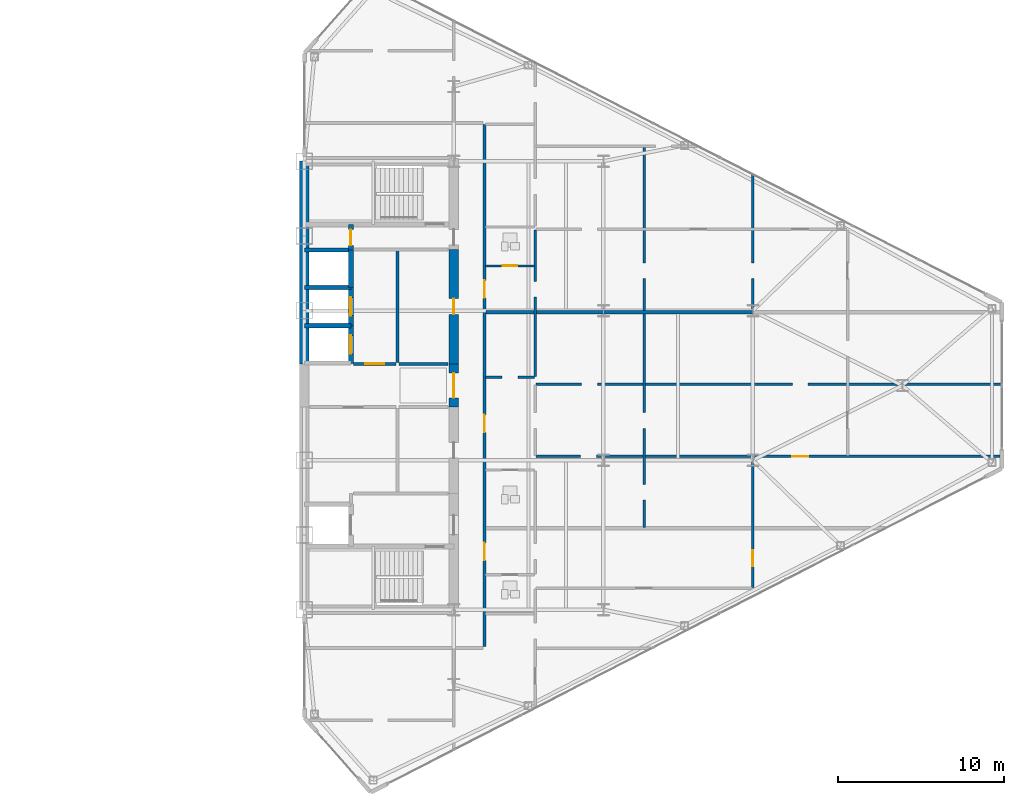
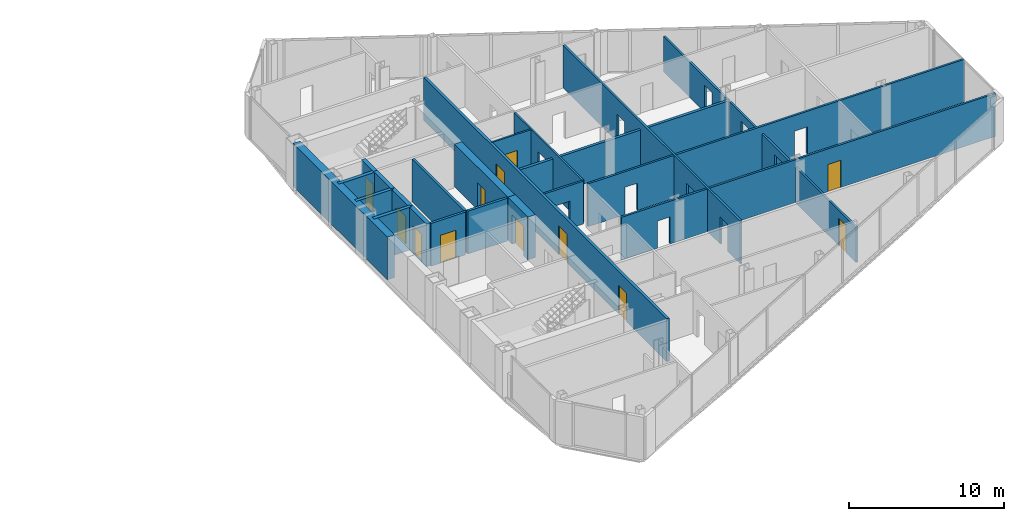
# One storey, part 19 of 23: 22 walls, 12 doors, 23 openings.
"""IFC4 building model written with IfcOpenShell, lengths in metres."""

from ifc_helpers import new_model, si_unit, direction, frame, frame_2d, origin, place, context, subcontext, project, spatial, rectangle, extrude, source, transform, mapped, material, layer, layer_set, type_object, type_shapes, element, fill, save


model = new_model("IFC4")

# Units and contexts
model_context = context("Model", 3, precision=1e-05, world=origin(), true_north=direction((0.0, 1.0)))
body_context = subcontext(model_context, "Body", "Model", "MODEL_VIEW")
ifc_project = project(units=[si_unit("LENGTHUNIT", "METRE"), si_unit("AREAUNIT", "SQUARE_METRE"), si_unit("VOLUMEUNIT", "CUBIC_METRE"), si_unit("PLANEANGLEUNIT", "RADIAN"), si_unit("MASSUNIT", "GRAM", prefix="KILO")], contexts=[model_context])

# Site, building, storey
site_placement = place(None, origin())
site = spatial("IfcSite", under=ifc_project, at=site_placement, CompositionType="ELEMENT")
building_placement = place(site_placement, origin())
building = spatial("IfcBuilding", under=site, at=building_placement, Name="Seokmaru Belvedere", CompositionType="ELEMENT")
storey_placement = place(building_placement, frame((0.0, 0.0, 154.800048828125)))
storey = spatial("IfcBuildingStorey", under=building, at=storey_placement, Name="L41", CompositionType="ELEMENT", Elevation=154.800048828125)

# Wall, openings, door
ifc_material_1 = material(Name="Fire-Rated Gypsum Shaftwall")
ifc_layer_1 = layer(ifc_material_1, 0.14990234375)
ifc_layer_set_1 = layer_set([ifc_layer_1], Name="Fire-Rated Gypsum Shaftwall")
wall_type_1 = type_object("IfcWallType", Name="Apartment Fire-Acoustic Room Partition 150", PredefinedType="PARTITIONING", material=ifc_layer_set_1)
wall_1_placement = place(storey_placement, frame((41.449951171875, -4.27001953125, 0.0), z_axis=(0.0, 0.0, 1.0), x_axis=(1.0, 0.0, 0.0)))
wall_1 = element("IfcWall", 1, at=wall_1_placement, inside=storey, type_object=wall_type_1, Name="L41 Interior Partition 016", PredefinedType="PARTITIONING", context=body_context, shape_type="SweptSolid", body=[
    extrude(rectangle(XDim=27.925048828125, YDim=0.14990234375, at=frame_2d((13.96240234375, 0.0))), origin(), (0.0, 0.0, 1.0), 3.3798828125),
])
opening_1_placement = place(wall_1_placement, frame((2.67578125, 0.0, 0.0)))
element("IfcOpeningElement", 2, at=opening_1_placement, cuts=wall_1, Name="L41 Cased Opening 044", PredefinedType="OPENING", context=body_context, shape_type="SweptSolid", body=[
    extrude(rectangle(XDim=0.949951171875, YDim=2.14990234375, at=frame_2d((0.47509765625, 1.074951171875))), frame((0.0, 0.0849609375, 0.0), z_axis=(0.0, -1.0, 0.0), x_axis=(1.0, 0.0, 0.0)), (0.0, 0.0, 1.0), 0.169921875),
])
opening_2_placement = place(wall_1_placement, frame((15.425048828125, 0.0, 0.0)))
opening_2 = element("IfcOpeningElement", 3, at=opening_2_placement, cuts=wall_1, Name="Opening D05", PredefinedType="OPENING", context=body_context, shape_type="SweptSolid", body=[
    extrude(rectangle(XDim=0.949951171875, YDim=2.14990234375, at=frame_2d((0.47509765625, 1.074951171875))), frame((0.0, 0.0849609375, 0.0), z_axis=(0.0, -1.0, 0.0), x_axis=(1.0, 0.0, 0.0)), (0.0, 0.0, 1.0), 0.169921875),
])
ifc_material_2 = material(Name="Engineered White Oak Timber", Category="wood")
door_type_1 = type_object("IfcDoorType", Name="Apartment Interior Fire-Rated Oak Door 950x2150", OperationType="NOTDEFINED", PredefinedType="DOOR", material=ifc_material_2)
shared_shape_1 = source(origin(), body_context, "Body", "SweptSolid", [
    extrude(rectangle(XDim=0.949951171875, YDim=2.14990234375, at=frame_2d((0.47509765625, 1.074951171875))), frame((0.0, 0.02490234375, 0.0), z_axis=(0.0, -1.0, 0.0), x_axis=(1.0, 0.0, 0.0)), (0.0, 0.0, 1.0), 0.050048828125),
])
type_shapes(door_type_1, [shared_shape_1])
door_1_placement = place(opening_2_placement, origin())
door_1 = element("IfcDoor", 4, at=door_1_placement, inside=storey, type_object=door_type_1, Name="L41 Interior Door 048", OperationType="SINGLE_SWING_RIGHT", OverallHeight=2.14990234375, OverallWidth=0.949951171875, PredefinedType="DOOR", context=body_context, shape_type="MappedRepresentation", body=[
    mapped(shared_shape_1, transform((0.0, 0.0, 0.0), scale=1.0)),
])
fill(opening_2, door_1)

# Wall, openings
wall_2_placement = place(storey_placement, frame((41.449951171875, 0.070068359375, 0.0), z_axis=(0.0, 0.0, 1.0), x_axis=(1.0, 0.0, 0.0)))
wall_2 = element("IfcWall", 5, at=wall_2_placement, inside=storey, type_object=wall_type_1, Name="L41 Interior Partition 019", PredefinedType="PARTITIONING", context=body_context, shape_type="SweptSolid", body=[
    extrude(rectangle(XDim=28.0849609375, YDim=0.14990234375, at=frame_2d((14.04248046875, 0.0))), origin(), (0.0, 0.0, 1.0), 3.3798828125),
])
opening_3_placement = place(wall_2_placement, frame((2.75, 0.0, 0.0)))
element("IfcOpeningElement", 6, at=opening_3_placement, cuts=wall_2, Name="L41 Cased Opening 046", PredefinedType="OPENING", context=body_context, shape_type="SweptSolid", body=[
    extrude(rectangle(XDim=0.949951171875, YDim=2.14990234375, at=frame_2d((0.47509765625, 1.074951171875))), frame((0.0, 0.0849609375, 0.0), z_axis=(0.0, -1.0, 0.0), x_axis=(1.0, 0.0, 0.0)), (0.0, 0.0, 1.0), 0.169921875),
])
opening_4_placement = place(wall_2_placement, frame((15.425048828125, 0.0, 0.0)))
element("IfcOpeningElement", 7, at=opening_4_placement, cuts=wall_2, Name="L41 Cased Opening 050", PredefinedType="OPENING", context=body_context, shape_type="SweptSolid", body=[
    extrude(rectangle(XDim=0.949951171875, YDim=2.14990234375, at=frame_2d((0.47509765625, 1.074951171875))), frame((0.0, 0.0849609375, 0.0), z_axis=(0.0, -1.0, 0.0), x_axis=(1.0, 0.0, 0.0)), (0.0, 0.0, 1.0), 0.169921875),
])

# Wall, opening
wall_3_placement = place(storey_placement, frame((38.39990234375, 0.5, 0.0), z_axis=(0.0, 0.0, 1.0), x_axis=(1.0, 0.0, 0.0)))
wall_3 = element("IfcWall", 8, at=wall_3_placement, inside=storey, type_object=wall_type_1, Name="L41 Interior Partition 021", PredefinedType="PARTITIONING", context=body_context, shape_type="SweptSolid", body=[
    extrude(rectangle(XDim=2.9501953125, YDim=0.14990234375, at=frame_2d((1.47509765625, 0.0))), origin(), (0.0, 0.0, 1.0), 3.3798828125),
])
opening_5_placement = place(wall_3_placement, frame((1.0, 0.0, 0.0)))
element("IfcOpeningElement", 9, at=opening_5_placement, cuts=wall_3, Name="L41 Cased Opening 042", PredefinedType="OPENING", context=body_context, shape_type="SweptSolid", body=[
    extrude(rectangle(XDim=0.949951171875, YDim=2.14990234375, at=frame_2d((0.47509765625, 1.074951171875))), frame((0.0, 0.0849609375, 0.0), z_axis=(0.0, -1.0, 0.0), x_axis=(1.0, 0.0, 0.0)), (0.0, 0.0, 1.0), 0.169921875),
])

# Wall, openings
wall_4_placement = place(storey_placement, frame((47.949951171875, -8.550048828125, 0.0), z_axis=(0.0, 0.0, 1.0), x_axis=(0.0, 1.0, 0.0)))
wall_4 = element("IfcWall", 10, at=wall_4_placement, inside=storey, type_object=wall_type_1, Name="L41 Interior Partition 056", PredefinedType="PARTITIONING", context=body_context, shape_type="SweptSolid", body=[
    extrude(rectangle(XDim=22.9130859375, YDim=0.14990234375, at=frame_2d((11.45654296875, 0.0))), origin(), (0.0, 0.0, 1.0), 3.3798828125),
])
opening_6_placement = place(wall_4_placement, frame((5.97509765625, 0.0, 0.0)))
element("IfcOpeningElement", 11, at=opening_6_placement, cuts=wall_4, Name="L41 Cased Opening 045", PredefinedType="OPENING", context=body_context, shape_type="SweptSolid", body=[
    extrude(rectangle(XDim=0.949951171875, YDim=2.14990234375, at=frame_2d((0.47509765625, 1.074951171875))), frame((0.0, 0.0849609375, 0.0), z_axis=(0.0, -1.0, 0.0), x_axis=(1.0, 0.0, 0.0)), (0.0, 0.0, 1.0), 0.169921875),
])
opening_7_placement = place(wall_4_placement, frame((1.6416015625, 0.0, 0.0)))
element("IfcOpeningElement", 12, at=opening_7_placement, cuts=wall_4, Name="L41 Cased Opening 052", PredefinedType="OPENING", context=body_context, shape_type="SweptSolid", body=[
    extrude(rectangle(XDim=0.949951171875, YDim=2.14990234375, at=frame_2d((0.47509765625, 1.074951171875))), frame((0.0, 0.0849609375, 0.0), z_axis=(0.0, -1.0, 0.0), x_axis=(1.0, 0.0, 0.0)), (0.0, 0.0, 1.0), 0.169921875),
])
opening_8_placement = place(wall_4_placement, frame((14.978271484375, 0.0, 0.0)))
element("IfcOpeningElement", 13, at=opening_8_placement, cuts=wall_4, Name="L41 Cased Opening 057", PredefinedType="OPENING", context=body_context, shape_type="SweptSolid", body=[
    extrude(rectangle(XDim=0.949951171875, YDim=2.14990234375, at=frame_2d((0.47509765625, 1.074951171875))), frame((0.0, 0.0849609375, 0.0), z_axis=(0.0, -1.0, 0.0), x_axis=(1.0, 0.0, 0.0)), (0.0, 0.0, 1.0), 0.169921875),
])

# Wall, openings, door
wall_5_placement = place(storey_placement, frame((54.5, -12.156982421875, 0.0), z_axis=(0.0, 0.0, 1.0), x_axis=(0.0, 1.0, 0.0)))
wall_5 = element("IfcWall", 14, at=wall_5_placement, inside=storey, type_object=wall_type_1, Name="L41 Interior Partition 057", PredefinedType="PARTITIONING", context=body_context, shape_type="SweptSolid", body=[
    extrude(rectangle(XDim=24.888916015625, YDim=0.14990234375, at=frame_2d((12.4443359375, 0.0))), origin(), (0.0, 0.0, 1.0), 2.780029296875),
])
opening_9_placement = place(wall_5_placement, frame((1.27880859375, 0.0, 0.0)))
opening_9 = element("IfcOpeningElement", 15, at=opening_9_placement, cuts=wall_5, Name="Opening D05", PredefinedType="OPENING", context=body_context, shape_type="SweptSolid", body=[
    extrude(rectangle(XDim=0.949951171875, YDim=2.14990234375, at=frame_2d((0.47509765625, 1.074951171875))), frame((0.0, 0.0849609375, 0.0), z_axis=(0.0, -1.0, 0.0), x_axis=(1.0, 0.0, 0.0)), (0.0, 0.0, 1.0), 0.169921875),
])
opening_10_placement = place(wall_5_placement, frame((9.58203125, 0.0, 0.0)))
element("IfcOpeningElement", 16, at=opening_10_placement, cuts=wall_5, Name="L41 Cased Opening 047", PredefinedType="OPENING", context=body_context, shape_type="SweptSolid", body=[
    extrude(rectangle(XDim=0.949951171875, YDim=2.14990234375, at=frame_2d((0.47509765625, 1.074951171875))), frame((0.0, 0.0849609375, 0.0), z_axis=(0.0, -1.0, 0.0), x_axis=(1.0, 0.0, 0.0)), (0.0, 0.0, 1.0), 0.169921875),
])
opening_11_placement = place(wall_5_placement, frame((13.915283203125, 0.0, 0.0)))
element("IfcOpeningElement", 17, at=opening_11_placement, cuts=wall_5, Name="L41 Cased Opening 053", PredefinedType="OPENING", context=body_context, shape_type="SweptSolid", body=[
    extrude(rectangle(XDim=0.949951171875, YDim=2.14990234375, at=frame_2d((0.47509765625, 1.074951171875))), frame((0.0, 0.0849609375, 0.0), z_axis=(0.0, -1.0, 0.0), x_axis=(1.0, 0.0, 0.0)), (0.0, 0.0, 1.0), 0.169921875),
])
opening_12_placement = place(wall_5_placement, frame((18.585205078125, 0.0, 0.0)))
element("IfcOpeningElement", 18, at=opening_12_placement, cuts=wall_5, Name="L41 Cased Opening 060", PredefinedType="OPENING", context=body_context, shape_type="SweptSolid", body=[
    extrude(rectangle(XDim=0.949951171875, YDim=2.14990234375, at=frame_2d((0.47509765625, 1.074951171875))), frame((0.0, 0.0849609375, 0.0), z_axis=(0.0, -1.0, 0.0), x_axis=(1.0, 0.0, 0.0)), (0.0, 0.0, 1.0), 0.169921875),
])
door_2_placement = place(opening_9_placement, origin())
door_2 = element("IfcDoor", 19, at=door_2_placement, inside=storey, type_object=door_type_1, Name="L41 Interior Door 034", OperationType="SINGLE_SWING_LEFT", OverallHeight=2.14990234375, OverallWidth=0.949951171875, PredefinedType="DOOR", context=body_context, shape_type="MappedRepresentation", body=[
    mapped(shared_shape_1, transform((0.0, 0.0, 0.0), scale=1.0)),
])
fill(opening_9, door_2)

# Wall
ifc_layer_2 = layer(ifc_material_1, 0.179931640625)
ifc_layer_set_2 = layer_set([ifc_layer_2], Name="Fire-Rated Gypsum Shaftwall")
wall_type_2 = type_object("IfcWallType", Name="Core Service Fire Partition 180", PredefinedType="PARTITIONING", material=ifc_layer_set_2)
wall_6_placement = place(storey_placement, frame((33.10009765625, 1.3798828125, 0.0), z_axis=(0.0, 0.0, 1.0), x_axis=(0.0, 1.0, 0.0)))
element("IfcWall", 20, at=wall_6_placement, inside=storey, type_object=wall_type_2, Name="L41 East North Core Service Back Wall", PredefinedType="PARTITIONING", context=body_context, shape_type="SweptSolid", body=[
    extrude(rectangle(XDim=6.740234375, YDim=0.179931640625, at=frame_2d((3.3701171875, 0.0))), origin(), (0.0, 0.0, 1.0), 3.3798828125),
])

# Wall, opening, door
wall_7_placement = place(storey_placement, frame((30.449951171875, 1.300048828125, 0.0), z_axis=(0.0, 0.0, 1.0), x_axis=(1.0, 0.0, 0.0)))
wall_7 = element("IfcWall", 21, at=wall_7_placement, inside=storey, type_object=wall_type_2, Name="L41 East North Lift Lobby Foyer Wall", PredefinedType="PARTITIONING", context=body_context, shape_type="SweptSolid", body=[
    extrude(rectangle(XDim=2.570068359375, YDim=0.179931640625, at=frame_2d((1.28515625, 0.0))), origin(), (0.0, 0.0, 1.0), 3.3798828125),
])
opening_13_placement = place(wall_7_placement, frame((0.7099609375, 0.0, 0.0)))
opening_13 = element("IfcOpeningElement", 22, at=opening_13_placement, cuts=wall_7, Name="Opening D02", PredefinedType="OPENING", context=body_context, shape_type="SweptSolid", body=[
    extrude(rectangle(XDim=1.14990234375, YDim=2.199951171875, at=frame_2d((0.574951171875, 1.10009765625))), frame((0.0, 0.10009765625, 0.0), z_axis=(0.0, -1.0, 0.0), x_axis=(1.0, 0.0, 0.0)), (0.0, 0.0, 1.0), 0.199951171875),
])
ifc_material_3 = material(Name="Fire-Rated Steel Leaf", Category="steel")
door_type_2 = type_object("IfcDoorType", Name="Lobby and Vestibule Fire Door 1150x2200", OperationType="NOTDEFINED", PredefinedType="DOOR", material=ifc_material_3)
shared_shape_2 = source(origin(), body_context, "Body", "SweptSolid", [
    extrude(rectangle(XDim=1.14990234375, YDim=2.199951171875, at=frame_2d((0.574951171875, 1.10009765625))), frame((0.0, 0.02490234375, 0.0), z_axis=(0.0, -1.0, 0.0), x_axis=(1.0, 0.0, 0.0)), (0.0, 0.0, 1.0), 0.050048828125),
])
type_shapes(door_type_2, [shared_shape_2])
door_3_placement = place(opening_13_placement, origin())
door_3 = element("IfcDoor", 23, at=door_3_placement, inside=storey, type_object=door_type_2, Name="L41 East North Lift Lobby Door", OperationType="SINGLE_SWING_LEFT", OverallHeight=2.199951171875, OverallWidth=1.14990234375, PredefinedType="DOOR", context=body_context, shape_type="MappedRepresentation", body=[
    mapped(shared_shape_2, transform((0.0, 0.0, 0.0), scale=1.0)),
])
fill(opening_13, door_3)

# Walls
wall_8_placement = place(storey_placement, frame((33.199951171875, 1.300048828125, 0.0), z_axis=(0.0, 0.0, 1.0), x_axis=(1.0, 0.0, 0.0)))
element("IfcWall", 24, at=wall_8_placement, inside=storey, type_object=wall_type_2, Name="L41 East Foyer Side Wall N", PredefinedType="PARTITIONING", context=body_context, shape_type="SweptSolid", body=[
    extrude(rectangle(XDim=2.949951171875, YDim=0.179931640625, at=frame_2d((1.47509765625, 0.0))), origin(), (0.0, 0.0, 1.0), 3.3798828125),
])
ifc_material_4 = material(Name="Concrete C50 (50 MPa)", Category="concrete")
ifc_layer_3 = layer(ifc_material_4, 0.25)
ifc_layer_set_3 = layer_set([ifc_layer_3], Name="Concrete C50 (50 MPa)")
wall_type_3 = type_object("IfcWallType", Name="Hoistway Transverse Concrete Divider Wall 250", PredefinedType="SHEAR", material=ifc_layer_set_3)
for number, where, z_axis, x_axis, name in (
    (25, (27.5, 3.60009765625, 0.0), (0.0, 0.0, 1.0), (1.0, 0.0, 0.0), "L41 East Hoistway Divider Core Wall 3"),
    (26, (27.5, 5.89990234375, 0.0), (0.0, 0.0, 1.0), (1.0, 0.0, 0.0), "L41 East Hoistway Divider Core Wall 4"),
    (27, (27.5, 8.14990234375, 0.0), (0.0, 0.0, 1.0), (1.0, 0.0, 0.0), "L41 East Hoistway Divider Core Wall 5"),
):
    element("IfcWall", number, at=place(storey_placement, frame(where, z_axis=z_axis, x_axis=x_axis)), inside=storey, type_object=wall_type_3, Name=name, PredefinedType="SHEAR", context=body_context, shape_type="SweptSolid", body=[
        extrude(rectangle(XDim=2.800048828125, YDim=0.25, at=frame_2d((1.39990234375, 0.0))), origin(), (0.0, 0.0, 1.0), 3.3798828125),
    ])
ifc_layer_4 = layer(ifc_material_1, 0.199951171875)
ifc_layer_set_4 = layer_set([ifc_layer_4], Name="Fire-Rated Gypsum Shaftwall")
wall_type_4 = type_object("IfcWallType", Name="Inter-Tenancy Fire Compartment Partition 200", PredefinedType="PARTITIONING", material=ifc_layer_set_4)
wall_9_placement = place(storey_placement, frame((38.429931640625, 4.39990234375, 0.0), z_axis=(0.0, 0.0, 1.0), x_axis=(1.0, 0.0, 0.0)))
element("IfcWall", 28, at=wall_9_placement, inside=storey, type_object=wall_type_4, Name="L41 Interior Partition 022", PredefinedType="PARTITIONING", context=body_context, shape_type="SweptSolid", body=[
    extrude(rectangle(XDim=16.090087890625, YDim=0.199951171875, at=frame_2d((8.044921875, 0.0))), origin(), (0.0, 0.0, 1.0), 2.780029296875),
])

# Wall, openings, doors
wall_10_placement = place(storey_placement, frame((38.35009765625, -15.715087890625, 0.0), z_axis=(0.0, 0.0, 1.0), x_axis=(0.0, 1.0, 0.0)))
wall_10 = element("IfcWall", 29, at=wall_10_placement, inside=storey, type_object=wall_type_4, Name="L41 Interior Partition 050", PredefinedType="PARTITIONING", context=body_context, shape_type="SweptSolid", body=[
    extrude(rectangle(XDim=31.43017578125, YDim=0.199951171875, at=frame_2d((15.715087890625, 0.0))), origin(), (0.0, 0.0, 1.0), 3.3798828125),
])
opening_14_placement = place(wall_10_placement, frame((5.1923828125, 0.0, 0.0)))
opening_14 = element("IfcOpeningElement", 30, at=opening_14_placement, cuts=wall_10, Name="Opening D03", PredefinedType="OPENING", context=body_context, shape_type="SweptSolid", body=[
    extrude(rectangle(XDim=1.050048828125, YDim=2.25, at=frame_2d((0.52490234375, 1.125))), frame((0.0, 0.10986328125, 0.0), z_axis=(0.0, -1.0, 0.0), x_axis=(1.0, 0.0, 0.0)), (0.0, 0.0, 1.0), 0.219970703125),
])
opening_15_placement = place(wall_10_placement, frame((12.89501953125, 0.0, 0.0)))
opening_15 = element("IfcOpeningElement", 31, at=opening_15_placement, cuts=wall_10, Name="Opening D03", PredefinedType="OPENING", context=body_context, shape_type="SweptSolid", body=[
    extrude(rectangle(XDim=1.050048828125, YDim=2.25, at=frame_2d((0.52490234375, 1.125))), frame((0.0, 0.10986328125, 0.0), z_axis=(0.0, -1.0, 0.0), x_axis=(1.0, 0.0, 0.0)), (0.0, 0.0, 1.0), 0.219970703125),
])
opening_16_placement = place(wall_10_placement, frame((20.987548828125, 0.0, 0.0)))
opening_16 = element("IfcOpeningElement", 32, at=opening_16_placement, cuts=wall_10, Name="Opening D03", PredefinedType="OPENING", context=body_context, shape_type="SweptSolid", body=[
    extrude(rectangle(XDim=1.050048828125, YDim=2.25, at=frame_2d((0.52490234375, 1.125))), frame((0.0, 0.10986328125, 0.0), z_axis=(0.0, -1.0, 0.0), x_axis=(1.0, 0.0, 0.0)), (0.0, 0.0, 1.0), 0.219970703125),
])
door_type_3 = type_object("IfcDoorType", Name="Apartment Entrance Fire Door 1050x2250", OperationType="NOTDEFINED", PredefinedType="DOOR", material=ifc_material_3)
shared_shape_3 = source(origin(), body_context, "Body", "SweptSolid", [
    extrude(rectangle(XDim=1.050048828125, YDim=2.25, at=frame_2d((0.52490234375, 1.125))), frame((0.0, 0.02490234375, 0.0), z_axis=(0.0, -1.0, 0.0), x_axis=(1.0, 0.0, 0.0)), (0.0, 0.0, 1.0), 0.050048828125),
])
type_shapes(door_type_3, [shared_shape_3])
door_4_placement = place(opening_14_placement, origin())
door_4 = element("IfcDoor", 33, at=door_4_placement, inside=storey, type_object=door_type_3, Name="L41 Interior Door 031", OperationType="SINGLE_SWING_LEFT", OverallHeight=2.25, OverallWidth=1.050048828125, PredefinedType="DOOR", context=body_context, shape_type="MappedRepresentation", body=[
    mapped(shared_shape_3, transform((0.0, 0.0, 0.0), scale=1.0)),
])
fill(opening_14, door_4)
door_5_placement = place(opening_15_placement, origin())
door_5 = element("IfcDoor", 34, at=door_5_placement, inside=storey, type_object=door_type_3, Name="L41 Interior Door 040", OperationType="SINGLE_SWING_RIGHT", OverallHeight=2.25, OverallWidth=1.050048828125, PredefinedType="DOOR", context=body_context, shape_type="MappedRepresentation", body=[
    mapped(shared_shape_3, transform((0.0, 0.0, 0.0), scale=1.0)),
])
fill(opening_15, door_5)
door_6_placement = place(opening_16_placement, origin())
door_6 = element("IfcDoor", 35, at=door_6_placement, inside=storey, type_object=door_type_3, Name="L41 Interior Door 054", OperationType="SINGLE_SWING_LEFT", OverallHeight=2.25, OverallWidth=1.050048828125, PredefinedType="DOOR", context=body_context, shape_type="MappedRepresentation", body=[
    mapped(shared_shape_3, transform((0.0, 0.0, 0.0), scale=1.0)),
])
fill(opening_16, door_6)

# Wall, opening, door
ifc_layer_5 = layer(ifc_material_4, 0.300048828125)
ifc_layer_set_5 = layer_set([ifc_layer_5], Name="Concrete C50 (50 MPa)")
wall_type_5 = type_object("IfcWallType", Name="Internal Core Stair and Hoistway Wall 300", PredefinedType="SHEAR", material=ifc_layer_set_5)
wall_11_placement = place(storey_placement, frame((30.300048828125, 1.320068359375, 0.0), z_axis=(0.0, 0.0, 1.0), x_axis=(0.0, 1.0, 0.0)))
wall_11 = element("IfcWall", 36, at=wall_11_placement, inside=storey, type_object=wall_type_5, Name="L41 East North Hoistway Wall PH1", PredefinedType="SHEAR", context=body_context, shape_type="SweptSolid", body=[
    extrude(rectangle(XDim=2.280029296875, YDim=0.300048828125, at=frame_2d((1.14013671875, 0.0))), origin(), (0.0, 0.0, 1.0), 3.3798828125),
])
opening_17_placement = place(wall_11_placement, frame((0.590087890625, 0.0, 0.0)))
opening_17 = element("IfcOpeningElement", 37, at=opening_17_placement, cuts=wall_11, Name="Opening LD1", PredefinedType="OPENING", context=body_context, shape_type="SweptSolid", body=[
    extrude(rectangle(XDim=1.10009765625, YDim=2.199951171875, at=frame_2d((0.550048828125, 1.10009765625))), frame((0.0, 0.16015625, 0.0), z_axis=(0.0, -1.0, 0.0), x_axis=(1.0, 0.0, 0.0)), (0.0, 0.0, 1.0), 0.320068359375),
])
ifc_material_5 = material(Name="Stainless Steel 316", Category="steel")
door_type_4 = type_object("IfcDoorType", Name="Passenger Lift Sliding Landing Door 1100x2200", OperationType="DOUBLE_DOOR_SLIDING", PredefinedType="DOOR", material=ifc_material_5)
shared_shape_4 = source(origin(), body_context, "Body", "SweptSolid", [
    extrude(rectangle(XDim=1.10009765625, YDim=2.199951171875, at=frame_2d((0.550048828125, 1.10009765625))), frame((0.0, 0.02490234375, 0.0), z_axis=(0.0, -1.0, 0.0), x_axis=(1.0, 0.0, 0.0)), (0.0, 0.0, 1.0), 0.050048828125),
])
type_shapes(door_type_4, [shared_shape_4])
door_7_placement = place(opening_17_placement, origin())
door_7 = element("IfcDoor", 38, at=door_7_placement, inside=storey, type_object=door_type_4, Name="L41 East High-Rise Lift PH-1 Landing Door", OperationType="DOUBLE_DOOR_SLIDING", OverallHeight=2.199951171875, OverallWidth=1.10009765625, PredefinedType="DOOR", context=body_context, shape_type="MappedRepresentation", body=[
    mapped(shared_shape_4, transform((0.0, 0.0, 0.0), scale=1.0)),
])
fill(opening_17, door_7)

wall_12_placement = place(storey_placement, frame((30.300048828125, 3.60009765625, 0.0), z_axis=(0.0, 0.0, 1.0), x_axis=(0.0, 1.0, 0.0)))
wall_12 = element("IfcWall", 39, at=wall_12_placement, inside=storey, type_object=wall_type_5, Name="L41 East North Hoistway Wall PH2", PredefinedType="SHEAR", context=body_context, shape_type="SweptSolid", body=[
    extrude(rectangle(XDim=2.2998046875, YDim=0.300048828125, at=frame_2d((1.14990234375, 0.0))), origin(), (0.0, 0.0, 1.0), 3.3798828125),
])
opening_18_placement = place(wall_12_placement, frame((0.60009765625, 0.0, 0.0)))
opening_18 = element("IfcOpeningElement", 40, at=opening_18_placement, cuts=wall_12, Name="Opening LD1", PredefinedType="OPENING", context=body_context, shape_type="SweptSolid", body=[
    extrude(rectangle(XDim=1.10009765625, YDim=2.199951171875, at=frame_2d((0.550048828125, 1.10009765625))), frame((0.0, 0.16015625, 0.0), z_axis=(0.0, -1.0, 0.0), x_axis=(1.0, 0.0, 0.0)), (0.0, 0.0, 1.0), 0.320068359375),
])
door_8_placement = place(opening_18_placement, origin())
door_8 = element("IfcDoor", 41, at=door_8_placement, inside=storey, type_object=door_type_4, Name="L41 East High-Rise Lift PH-2 Landing Door", OperationType="DOUBLE_DOOR_SLIDING", OverallHeight=2.199951171875, OverallWidth=1.10009765625, PredefinedType="DOOR", context=body_context, shape_type="MappedRepresentation", body=[
    mapped(shared_shape_4, transform((0.0, 0.0, 0.0), scale=1.0)),
])
fill(opening_18, door_8)

# Wall
wall_13_placement = place(storey_placement, frame((30.300048828125, 5.89990234375, 0.0), z_axis=(0.0, 0.0, 1.0), x_axis=(0.0, 1.0, 0.0)))
element("IfcWall", 42, at=wall_13_placement, inside=storey, type_object=wall_type_5, Name="L41 East North Hoistway Wall OBS", PredefinedType="SHEAR", context=body_context, shape_type="SweptSolid", body=[
    extrude(rectangle(XDim=2.25, YDim=0.300048828125, at=frame_2d((1.125, 0.0))), origin(), (0.0, 0.0, 1.0), 3.3798828125),
])

# Wall, opening, door
wall_14_placement = place(storey_placement, frame((30.300048828125, 8.14990234375, 0.0), z_axis=(0.0, 0.0, 1.0), x_axis=(0.0, 1.0, 0.0)))
wall_14 = element("IfcWall", 43, at=wall_14_placement, inside=storey, type_object=wall_type_5, Name="L41 East Electrical Riser Front Wall", PredefinedType="SHEAR", context=body_context, shape_type="SweptSolid", body=[
    extrude(rectangle(XDim=1.530029296875, YDim=0.300048828125, at=frame_2d((0.76513671875, 0.0))), origin(), (0.0, 0.0, 1.0), 3.3798828125),
])
opening_19_placement = place(wall_14_placement, frame((0.284912109375, 0.0, 0.0)))
opening_19 = element("IfcOpeningElement", 44, at=opening_19_placement, cuts=wall_14, Name="Opening D04", PredefinedType="OPENING", context=body_context, shape_type="SweptSolid", body=[
    extrude(rectangle(XDim=0.949951171875, YDim=2.14990234375, at=frame_2d((0.47509765625, 1.074951171875))), frame((0.0, 0.16015625, 0.0), z_axis=(0.0, -1.0, 0.0), x_axis=(1.0, 0.0, 0.0)), (0.0, 0.0, 1.0), 0.320068359375),
])
door_type_5 = type_object("IfcDoorType", Name="Core Service Room Fire Door 950x2150", OperationType="NOTDEFINED", PredefinedType="DOOR", material=ifc_material_3)
shared_shape_5 = source(origin(), body_context, "Body", "SweptSolid", [
    extrude(rectangle(XDim=0.949951171875, YDim=2.14990234375, at=frame_2d((0.47509765625, 1.074951171875))), frame((0.0, 0.02490234375, 0.0), z_axis=(0.0, -1.0, 0.0), x_axis=(1.0, 0.0, 0.0)), (0.0, 0.0, 1.0), 0.050048828125),
])
type_shapes(door_type_5, [shared_shape_5])
door_9_placement = place(opening_19_placement, origin())
door_9 = element("IfcDoor", 45, at=door_9_placement, inside=storey, type_object=door_type_5, Name="L41 East Electrical Riser Access Door", OperationType="SINGLE_SWING_RIGHT", OverallHeight=2.14990234375, OverallWidth=0.949951171875, PredefinedType="DOOR", context=body_context, shape_type="MappedRepresentation", body=[
    mapped(shared_shape_5, transform((0.0, 0.0, 0.0), scale=1.0)),
])
fill(opening_19, door_9)

# Wall
ifc_layer_6 = layer(ifc_material_4, 0.550048828125)
ifc_layer_set_6 = layer_set([ifc_layer_6], Name="Concrete C50 (50 MPa)")
wall_type_6 = type_object("IfcWallType", Name="Mid-High Reinforced Concrete Core Wall 550", PredefinedType="SHEAR", material=ifc_layer_set_6)
wall_15_placement = place(storey_placement, frame((27.5, 1.300048828125, 0.0), z_axis=(0.0, 0.0, 1.0), x_axis=(0.0, 1.0, 0.0)))
element("IfcWall", 46, at=wall_15_placement, inside=storey, type_object=wall_type_6, Name="L41 East Portal Spine Core Wall North", PredefinedType="SHEAR", context=body_context, shape_type="SweptSolid", body=[
    extrude(rectangle(XDim=12.199951171875, YDim=0.550048828125, at=frame_2d((6.10009765625, 0.0))), origin(), (0.0, 0.0, 1.0), 3.3798828125),
])

# Wall, opening, door
wall_16_placement = place(storey_placement, frame((36.5, -1.300048828125, 0.0), z_axis=(0.0, 0.0, 1.0), x_axis=(0.0, 1.0, 0.0)))
wall_16 = element("IfcWall", 47, at=wall_16_placement, inside=storey, type_object=wall_type_6, Name="L41 East West Core Wall FOY", PredefinedType="SHEAR", context=body_context, shape_type="SweptSolid", body=[
    extrude(rectangle(XDim=2.60009765625, YDim=0.550048828125, at=frame_2d((1.300048828125, 0.0))), origin(), (0.0, 0.0, 1.0), 3.3798828125),
])
opening_20_placement = place(wall_16_placement, frame((0.550048828125, 0.0, 0.0)))
opening_20 = element("IfcOpeningElement", 48, at=opening_20_placement, cuts=wall_16, Name="Opening D08", PredefinedType="OPENING", context=body_context, shape_type="SweptSolid", body=[
    extrude(rectangle(XDim=1.5, YDim=2.300048828125, at=frame_2d((0.75, 1.14990234375))), frame((0.0, 0.28515625, 0.0), z_axis=(0.0, -1.0, 0.0), x_axis=(1.0, 0.0, 0.0)), (0.0, 0.0, 1.0), 0.570068359375),
])
door_type_6 = type_object("IfcDoorType", Name="Cross-Corridor Compartment Double Fire Door 1500x2300", OperationType="DOUBLE_SWING_LEFT", PredefinedType="DOOR", material=ifc_material_3)
shared_shape_6 = source(origin(), body_context, "Body", "SweptSolid", [
    extrude(rectangle(XDim=1.5, YDim=2.300048828125, at=frame_2d((0.75, 1.14990234375))), frame((0.0, 0.02490234375, 0.0), z_axis=(0.0, -1.0, 0.0), x_axis=(1.0, 0.0, 0.0)), (0.0, 0.0, 1.0), 0.050048828125),
])
type_shapes(door_type_6, [shared_shape_6])
door_10_placement = place(opening_20_placement, origin())
door_10 = element("IfcDoor", 49, at=door_10_placement, inside=storey, type_object=door_type_6, Name="L41 East Core Foyer Compartment Door", OperationType="DOUBLE_SWING_LEFT", OverallHeight=2.300048828125, OverallWidth=1.5, PredefinedType="DOOR", context=body_context, shape_type="MappedRepresentation", body=[
    mapped(shared_shape_6, transform((0.0, 0.0, 0.0), scale=1.0)),
])
fill(opening_20, door_10)

wall_17_placement = place(storey_placement, frame((36.5, 1.300048828125, 0.0), z_axis=(0.0, 0.0, 1.0), x_axis=(0.0, 1.0, 0.0)))
wall_17 = element("IfcWall", 50, at=wall_17_placement, inside=storey, type_object=wall_type_6, Name="L41 East West Core Wall CS2", PredefinedType="SHEAR", context=body_context, shape_type="SweptSolid", body=[
    extrude(rectangle(XDim=6.89990234375, YDim=0.550048828125, at=frame_2d((3.449951171875, 0.0))), origin(), (0.0, 0.0, 1.0), 3.3798828125),
])
opening_21_placement = place(wall_17_placement, frame((2.97509765625, 0.0, 0.0)))
opening_21 = element("IfcOpeningElement", 51, at=opening_21_placement, cuts=wall_17, Name="Opening D04", PredefinedType="OPENING", context=body_context, shape_type="SweptSolid", body=[
    extrude(rectangle(XDim=0.949951171875, YDim=2.14990234375, at=frame_2d((0.47509765625, 1.074951171875))), frame((0.0, 0.28515625, 0.0), z_axis=(0.0, -1.0, 0.0), x_axis=(1.0, 0.0, 0.0)), (0.0, 0.0, 1.0), 0.570068359375),
])
door_11_placement = place(opening_21_placement, origin())
door_11 = element("IfcDoor", 52, at=door_11_placement, inside=storey, type_object=door_type_5, Name="L41 East Core Service Room Door 2", OperationType="SINGLE_SWING_LEFT", OverallHeight=2.14990234375, OverallWidth=0.949951171875, PredefinedType="DOOR", context=body_context, shape_type="MappedRepresentation", body=[
    mapped(shared_shape_5, transform((0.0, 0.0, 0.0), scale=1.0)),
])
fill(opening_21, door_11)

ifc_layer_7 = layer(ifc_material_1, 0.1298828125)
ifc_layer_set_7 = layer_set([ifc_layer_7], Name="Fire-Rated Gypsum Shaftwall")
wall_type_7 = type_object("IfcWallType", Name="Moisture-Resistant Fire-Rated Bathroom Partition 130", PredefinedType="PARTITIONING", material=ifc_layer_set_7)
wall_18_placement = place(storey_placement, frame((38.39990234375, 7.199951171875, 0.0), z_axis=(0.0, 0.0, 1.0), x_axis=(1.0, 0.0, 0.0)))
wall_18 = element("IfcWall", 53, at=wall_18_placement, inside=storey, type_object=wall_type_7, Name="L41 Interior Partition 025", PredefinedType="PARTITIONING", context=body_context, shape_type="SweptSolid", body=[
    extrude(rectangle(XDim=2.9501953125, YDim=0.1298828125, at=frame_2d((1.47509765625, 0.0))), origin(), (0.0, 0.0, 1.0), 3.3798828125),
])
opening_22_placement = place(wall_18_placement, frame((1.034912109375, 0.0, 0.0)))
opening_22 = element("IfcOpeningElement", 54, at=opening_22_placement, cuts=wall_18, Name="Opening D06", PredefinedType="OPENING", context=body_context, shape_type="SweptSolid", body=[
    extrude(rectangle(XDim=0.8798828125, YDim=2.10009765625, at=frame_2d((0.43994140625, 1.050048828125))), frame((0.0, 0.074951171875, 0.0), z_axis=(0.0, -1.0, 0.0), x_axis=(1.0, 0.0, 0.0)), (0.0, 0.0, 1.0), 0.14990234375),
])
door_type_7 = type_object("IfcDoorType", Name="Bathroom and Restroom Fire-Rated Door 880x2100", OperationType="NOTDEFINED", PredefinedType="DOOR", material=ifc_material_2)
shared_shape_7 = source(origin(), body_context, "Body", "SweptSolid", [
    extrude(rectangle(XDim=0.8798828125, YDim=2.10009765625, at=frame_2d((0.43994140625, 1.050048828125))), frame((0.0, 0.02490234375, 0.0), z_axis=(0.0, -1.0, 0.0), x_axis=(1.0, 0.0, 0.0)), (0.0, 0.0, 1.0), 0.050048828125),
])
type_shapes(door_type_7, [shared_shape_7])
door_12_placement = place(opening_22_placement, origin())
door_12 = element("IfcDoor", 55, at=door_12_placement, inside=storey, type_object=door_type_7, Name="L41 Interior Door 055", OperationType="SINGLE_SWING_RIGHT", OverallHeight=2.10009765625, OverallWidth=0.8798828125, PredefinedType="DOOR", context=body_context, shape_type="MappedRepresentation", body=[
    mapped(shared_shape_7, transform((0.0, 0.0, 0.0), scale=1.0)),
])
fill(opening_22, door_12)

# Wall, opening
wall_19_placement = place(storey_placement, frame((41.39990234375, 0.552001953125, 0.0), z_axis=(0.0, 0.0, 1.0), x_axis=(0.0, 1.0, 0.0)))
wall_19 = element("IfcWall", 56, at=wall_19_placement, inside=storey, type_object=wall_type_7, Name="L41 Interior Partition 054", PredefinedType="PARTITIONING", context=body_context, shape_type="SweptSolid", body=[
    extrude(rectangle(XDim=8.804931640625, YDim=0.1298828125, at=frame_2d((4.40234375, 0.0))), origin(), (0.0, 0.0, 1.0), 3.3798828125),
])
opening_23_placement = place(wall_19_placement, frame((4.7705078125, 0.0, 0.0)))
element("IfcOpeningElement", 57, at=opening_23_placement, cuts=wall_19, Name="L41 Cased Opening 056", PredefinedType="OPENING", context=body_context, shape_type="SweptSolid", body=[
    extrude(rectangle(XDim=0.949951171875, YDim=2.14990234375, at=frame_2d((0.47509765625, 1.074951171875))), frame((0.0, 0.074951171875, 0.0), z_axis=(0.0, -1.0, 0.0), x_axis=(1.0, 0.0, 0.0)), (0.0, 0.0, 1.0), 0.14990234375),
])

save(model, "model.ifc")
